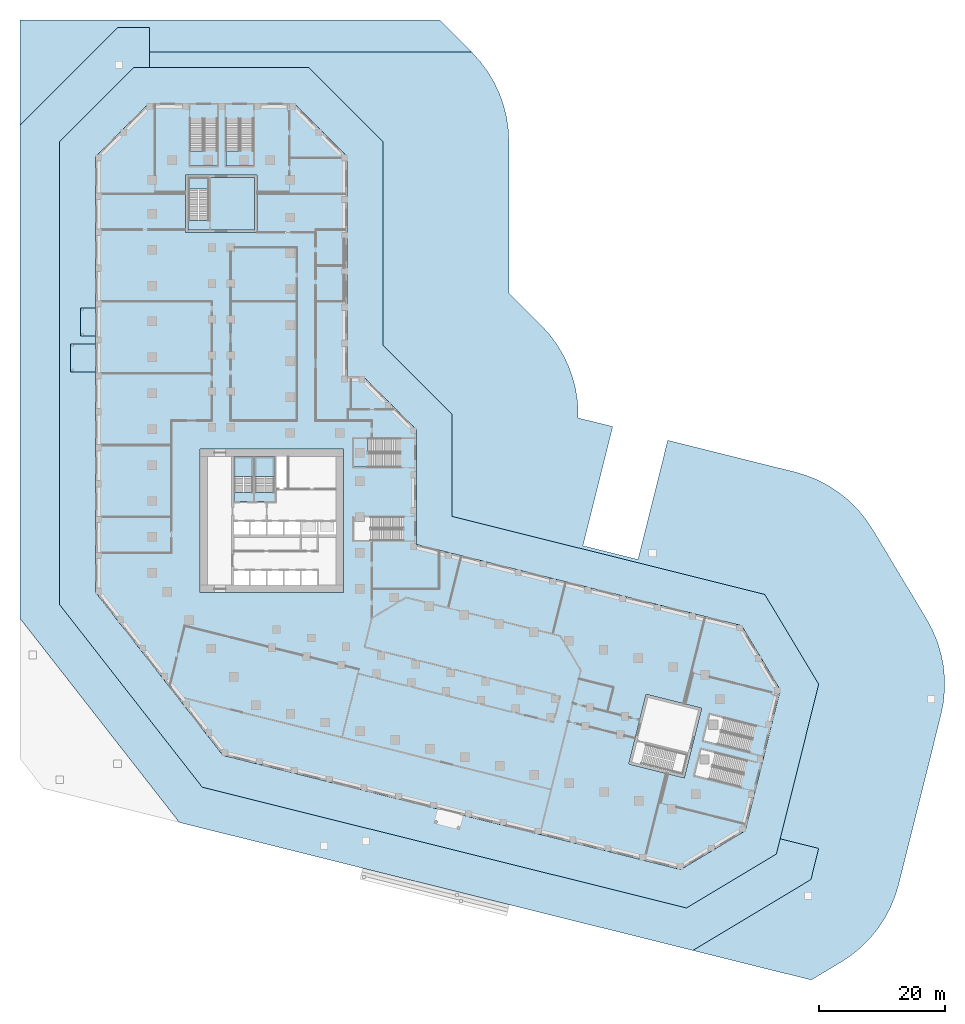
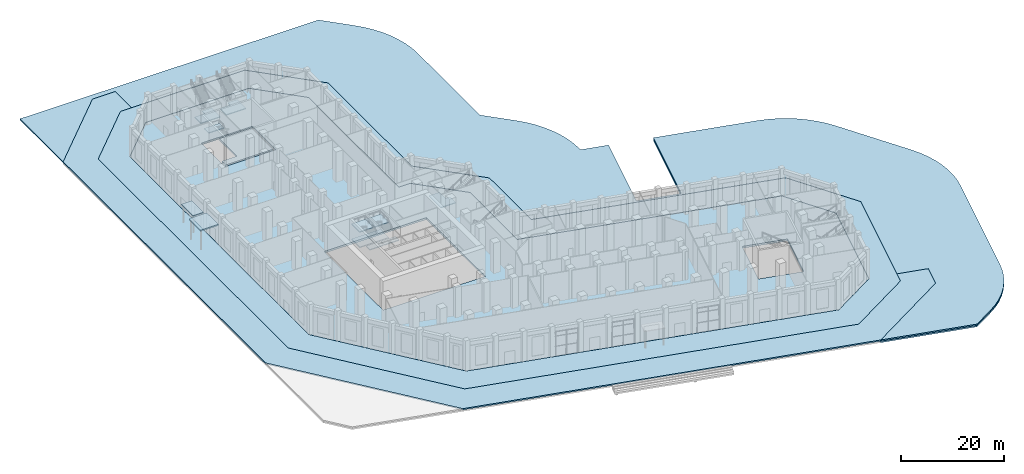
# One storey, part 10 of 27: 18 slabs, 6 elements without a shape of their own.
"""IFC4 building model written with IfcOpenShell, lengths in metres."""

from ifc_helpers import new_model, si_unit, direction, frame, origin, place, context, subcontext, project, spatial, polyline, outline, extrude, material, layer, layer_set, type_object, element, aggregate, save


model = new_model("IFC4")

# Units and contexts
model_context = context("Model", 3, precision=1e-05, world=origin(), true_north=direction((0.0, 1.0)))
body_context = subcontext(model_context, "Body", "Model", "MODEL_VIEW")
ifc_project = project(units=[si_unit("LENGTHUNIT", "METRE"), si_unit("AREAUNIT", "SQUARE_METRE"), si_unit("VOLUMEUNIT", "CUBIC_METRE"), si_unit("PLANEANGLEUNIT", "RADIAN"), si_unit("MASSUNIT", "GRAM", prefix="KILO")], contexts=[model_context])

# Site, building, storey
site_placement = place(None, origin())
site = spatial("IfcSite", under=ifc_project, at=site_placement, CompositionType="ELEMENT")
building_placement = place(site_placement, origin())
building = spatial("IfcBuilding", under=site, at=building_placement, Name="Meshkara Civic Tower", CompositionType="ELEMENT")
storey_placement = place(building_placement, origin())
storey = spatial("IfcBuildingStorey", under=building, at=storey_placement, Name="L00", CompositionType="ELEMENT", Elevation=0.0)

# Slabs
ifc_material_1 = material(Name="Concrete C40/50", Category="concrete")
ifc_layer_1 = layer(ifc_material_1, 0.449951171875)
ifc_layer_set_1 = layer_set([ifc_layer_1], Name="Core floor slab 450 C40/50")
slab_type_1 = type_object("IfcSlabType", Name="Core floor slab 450 C40/50", PredefinedType="FLOOR", material=ifc_layer_set_1)
slab_1_placement = place(storey_placement, frame((0.0, 0.0, -0.449951171875)))
element("IfcSlab", 1, at=slab_1_placement, inside=storey, type_object=slab_type_1, Name="Core floor EA", PredefinedType="FLOOR", context=body_context, shape_type="SweptSolid", body=[
    extrude(outline(polyline([(16.699951171875, 71.669921875), (16.699951171875, 79.969970703125), (9.5, 79.969970703125), (9.5, 73.17138671875), (6.10009765625, 73.17138671875), (6.10009765625, 71.669921875), (16.699951171875, 71.669921875)])), origin(), (0.0, 0.0, 1.0), 0.449951171875),
])
ifc_material_2 = material(Name="Concrete C40", Category="concrete")
ifc_layer_2 = layer(ifc_material_2, 0.199951171875)
ifc_layer_set_2 = layer_set([ifc_layer_2], Name="ENTRANCE CANOPY")
slab_type_2 = type_object("IfcSlabType", Name="ENTRANCE CANOPY", PredefinedType="ROOF", material=ifc_layer_set_2)
slab_2_placement = place(storey_placement, frame((0.0, 0.0, 4.0)))
element("IfcSlab", 2, at=slab_2_placement, inside=storey, type_object=slab_type_2, Name="Entrance canopy", PredefinedType="ROOF", context=body_context, shape_type="SweptSolid", body=[
    extrude(outline(polyline([(-8.550048828125, 59.31103515625), (-8.550048828125, 54.81103515625), (-10.949951171875, 54.81103515625), (-10.949951171875, 59.31103515625), (-8.550048828125, 59.31103515625)])), origin(), (0.0, 0.0, 1.0), 0.199951171875),
])

# Stair, slabs
ifc_material_3 = material(Name="Precast concrete C40/50", Category="concrete")
stair_type_1 = type_object("IfcStairType", Name="Exit stair half-turn 40 risers precast", PredefinedType="HALF_TURN_STAIR", material=ifc_material_3)
stair_1_placement = place(storey_placement, origin())
stair_1 = element("IfcStair", 3, at=stair_1_placement, inside=storey, type_object=stair_type_1, Name="L00 exit stair 1", PredefinedType="HALF_TURN_STAIR")
ifc_material_4 = material(Name="Precast concrete C40/50", Category="concrete")
ifc_layer_3 = layer(ifc_material_4, 0.199951171875)
ifc_layer_set_3 = layer_set([ifc_layer_3], Name="Exit stair landing 200")
slab_type_3 = type_object("IfcSlabType", Name="Exit stair landing 200", PredefinedType="LANDING", material=ifc_layer_set_3)
slab_3_placement = place(storey_placement, frame((0.0, 0.0, 1.60009765625)))
slab_3 = element("IfcSlab", 4, at=slab_3_placement, type_object=slab_type_3, Name="ST1 landing 1", PredefinedType="LANDING", context=body_context, shape_type="SweptSolid", body=[
    extrude(outline(polyline([(16.5, 32.5185546875), (16.5, 35.699951171875), (13.39990234375, 35.699951171875), (13.39990234375, 32.5185546875), (16.5, 32.5185546875)])), origin(), (0.0, 0.0, 1.0), 0.199951171875),
])
slab_4_placement = place(storey_placement, frame((0.0, 0.0, 3.39990234375)))
slab_4 = element("IfcSlab", 5, at=slab_4_placement, type_object=slab_type_3, Name="ST1 landing 2", PredefinedType="LANDING", context=body_context, shape_type="SweptSolid", body=[
    extrude(outline(polyline([(16.5, 28.60009765625), (16.5, 30.00146484375), (13.39990234375, 30.00146484375), (13.39990234375, 28.60009765625), (16.5, 28.60009765625)])), origin(), (0.0, 0.0, 1.0), 0.2001953125),
])
slab_5_placement = place(storey_placement, frame((0.0, 0.0, 5.199951171875)))
slab_5 = element("IfcSlab", 6, at=slab_5_placement, type_object=slab_type_3, Name="ST1 landing 3", PredefinedType="LANDING", context=body_context, shape_type="SweptSolid", body=[
    extrude(outline(polyline([(16.5, 32.5185546875), (16.5, 35.699951171875), (13.39990234375, 35.699951171875), (13.39990234375, 32.5185546875), (16.5, 32.5185546875)])), origin(), (0.0, 0.0, 1.0), 0.199951171875),
])
aggregate(stair_1, [slab_3, slab_4, slab_5])

stair_2_placement = place(storey_placement, origin())
stair_2 = element("IfcStair", 7, at=stair_2_placement, inside=storey, type_object=stair_type_1, Name="L00 exit stair 2", PredefinedType="HALF_TURN_STAIR")
slab_6_placement = place(storey_placement, frame((0.0, 0.0, 1.60009765625)))
slab_6 = element("IfcSlab", 8, at=slab_6_placement, type_object=slab_type_3, Name="ST2 landing 1", PredefinedType="LANDING", context=body_context, shape_type="SweptSolid", body=[
    extrude(outline(polyline([(19.89990234375, 32.5185546875), (19.89990234375, 35.699951171875), (16.699951171875, 35.699951171875), (16.699951171875, 32.5185546875), (19.89990234375, 32.5185546875)])), origin(), (0.0, 0.0, 1.0), 0.199951171875),
])
slab_7_placement = place(storey_placement, frame((0.0, 0.0, 3.39990234375)))
slab_7 = element("IfcSlab", 9, at=slab_7_placement, type_object=slab_type_3, Name="ST2 landing 2", PredefinedType="LANDING", context=body_context, shape_type="SweptSolid", body=[
    extrude(outline(polyline([(19.89990234375, 28.60009765625), (19.89990234375, 30.00146484375), (16.699951171875, 30.00146484375), (16.699951171875, 28.60009765625), (19.89990234375, 28.60009765625)])), origin(), (0.0, 0.0, 1.0), 0.2001953125),
])
slab_8_placement = place(storey_placement, frame((0.0, 0.0, 5.199951171875)))
slab_8 = element("IfcSlab", 10, at=slab_8_placement, type_object=slab_type_3, Name="ST2 landing 3", PredefinedType="LANDING", context=body_context, shape_type="SweptSolid", body=[
    extrude(outline(polyline([(19.89990234375, 32.5185546875), (19.89990234375, 35.699951171875), (16.699951171875, 35.699951171875), (16.699951171875, 32.5185546875), (19.89990234375, 32.5185546875)])), origin(), (0.0, 0.0, 1.0), 0.199951171875),
])
aggregate(stair_2, [slab_6, slab_7, slab_8])

# Stair, slab
ifc_material_5 = material(Name="Precast concrete C40/50", Category="concrete")
stair_type_2 = type_object("IfcStairType", Name="Exit stair half-turn 38 risers 1500 precast", PredefinedType="HALF_TURN_STAIR", material=ifc_material_5)
stair_3_placement = place(storey_placement, origin())
stair_3 = element("IfcStair", 11, at=stair_3_placement, inside=storey, type_object=stair_type_2, Name="L00 exit stair A from B2", PredefinedType="HALF_TURN_STAIR")
slab_9_placement = place(storey_placement, frame((0.0, 0.0, 3.39990234375)))
slab_9 = element("IfcSlab", 12, at=slab_9_placement, type_object=slab_type_3, Name="ESA1 landing 1", PredefinedType="LANDING", context=body_context, shape_type="SweptSolid", body=[
    extrude(outline(polyline([(9.5, 78.20849609375), (9.5, 79.969970703125), (6.10009765625, 79.969970703125), (6.10009765625, 78.20849609375), (9.5, 78.20849609375)])), origin(), (0.0, 0.0, 1.0), 0.2001953125),
])
aggregate(stair_3, [slab_9])

# Slabs
ifc_material_6 = material(Name="Granite paving on compacted base", Category="masonry")
ifc_layer_4 = layer(ifc_material_6, 0.300048828125)
ifc_layer_set_4 = layer_set([ifc_layer_4], Name="GROUND PAVING 300")
slab_type_4 = type_object("IfcSlabType", Name="GROUND PAVING 300", PredefinedType="USERDEFINED", material=ifc_layer_set_4)
slab_10_placement = place(storey_placement, frame((0.0, 0.0, -0.300048828125)))
element("IfcSlab", 13, at=slab_10_placement, inside=storey, type_object=slab_type_4, Name="Promenade paving", ObjectType="PAVING", PredefinedType="USERDEFINED", context=body_context, shape_type="SweptSolid", body=[
    extrude(outline(polyline([(60.864013671875, -36.35400390625), (4.7548828125, -22.364990234375), (-20.550048828125, 10.02392578125), (-20.550048828125, 88.31298828125), (-5.093017578125, 103.77001953125), (0.0, 103.77001953125), (0.0, 97.469970703125), (-2.48291015625, 97.469970703125), (-14.25, 85.702880859375), (-14.25, 12.193115234375), (8.384033203125, -16.777099609375), (85.239990234375, -35.93896484375), (99.50390625, -27.367919921875), (100.10498046875, -24.958984375), (106.218017578125, -26.48291015625), (104.986083984375, -31.424072265625), (86.248046875, -42.68310546875), (60.864013671875, -36.35400390625)])), origin(), (0.0, 0.0, 1.0), 0.300048828125),
])
slab_11_placement = place(storey_placement, frame((0.0, 0.0, -0.300048828125)))
element("IfcSlab", 14, at=slab_11_placement, inside=storey, type_object=slab_type_4, Name="Plaza paving", ObjectType="PAVING", PredefinedType="USERDEFINED", context=body_context, shape_type="SweptSolid", body=[
    extrude(outline(polyline([(63.510009765625, 55.071044921875), (64.678955078125, 53.493896484375), (65.68798828125, 51.81103515625), (66.528076171875, 50.037109375), (67.18896484375, 48.18896484375), (67.666015625, 46.284912109375), (67.9541015625, 44.343017578125), (68.050048828125, 42.383056640625), (68.050048828125, 41.830078125), (73.52294921875, 40.465087890625), (68.805908203125, 21.5439453125), (77.5380859375, 19.366943359375), (82.256103515625, 38.2880859375), (102.489013671875, 33.242919921875), (104.366943359375, 32.675048828125), (106.180908203125, 31.926025390625), (107.9130859375, 31.0029296875), (109.5458984375, 29.9150390625), (111.06396484375, 28.6708984375), (112.4541015625, 27.284912109375), (113.699951171875, 25.76904296875), (114.79296875, 24.138916015625), (123.364990234375, 9.875), (124.2919921875, 8.14501953125), (125.044921875, 6.33203125), (125.616943359375, 4.4541015625), (126.001953125, 2.530029296875), (126.197021484375, 0.575927734375), (126.198974609375, -1.386962890625), (126.009033203125, -3.340087890625), (125.6279296875, -5.26611328125), (118.909912109375, -32.20703125), (118.342041015625, -34.0859375), (117.593017578125, -35.89990234375), (116.669921875, -37.632080078125), (115.5810546875, -39.264892578125), (114.337890625, -40.782958984375), (112.950927734375, -42.172119140625), (111.43603515625, -43.4189453125), (109.804931640625, -44.510986328125), (105.047119140625, -47.3701171875), (86.248046875, -42.68310546875), (104.986083984375, -31.424072265625), (106.218017578125, -26.48291015625), (100.10498046875, -24.958984375), (106.221923828125, -0.427001953125), (97.64990234375, 13.8369140625), (48.050048828125, 26.2041015625), (48.050048828125, 42.383056640625), (37.050048828125, 53.383056640625), (37.050048828125, 85.702880859375), (25.282958984375, 97.469970703125), (0.0, 97.469970703125), (0.0, 103.77001953125), (-5.093017578125, 103.77001953125), (-20.550048828125, 88.31298828125), (-20.550048828125, 105.0), (46.037109375, 105.0), (51.19189453125, 99.844970703125), (52.510009765625, 98.39111328125), (53.678955078125, 96.81396484375), (54.68798828125, 95.131103515625), (55.528076171875, 93.35693359375), (56.18896484375, 91.509033203125), (56.666015625, 89.60498046875), (56.9541015625, 87.6630859375), (57.050048828125, 85.702880859375), (57.050048828125, 61.6669921875), (62.19189453125, 56.52490234375), (63.510009765625, 55.071044921875)])), origin(), (0.0, 0.0, 1.0), 0.300048828125),
])
ifc_material_7 = material(Name="Concrete C40", Category="concrete")
ifc_layer_5 = layer(ifc_material_7, 0.35009765625)
ifc_layer_set_5 = layer_set([ifc_layer_5], Name="GROUND SUB-BASE SLAB 350")
slab_type_5 = type_object("IfcSlabType", Name="GROUND SUB-BASE SLAB 350", PredefinedType="BASESLAB", material=ifc_layer_set_5)
slab_12_placement = place(storey_placement, frame((0.0, 0.0, -0.64990234375)))
element("IfcSlab", 15, at=slab_12_placement, inside=storey, type_object=slab_type_5, Name="Plaza paving sub-base", PredefinedType="BASESLAB", context=body_context, shape_type="SweptSolid", body=[
    extrude(outline(polyline([(64.678955078125, 53.493896484375), (65.68798828125, 51.81103515625), (66.528076171875, 50.037109375), (67.18896484375, 48.18896484375), (67.666015625, 46.284912109375), (67.9541015625, 44.343017578125), (68.050048828125, 42.383056640625), (68.050048828125, 41.830078125), (73.52294921875, 40.465087890625), (68.805908203125, 21.5439453125), (77.5380859375, 19.366943359375), (82.256103515625, 38.2880859375), (102.489013671875, 33.242919921875), (104.366943359375, 32.675048828125), (106.180908203125, 31.926025390625), (107.9130859375, 31.0029296875), (109.5458984375, 29.9150390625), (111.06396484375, 28.6708984375), (112.4541015625, 27.284912109375), (113.699951171875, 25.76904296875), (114.79296875, 24.138916015625), (123.364990234375, 9.875), (124.2919921875, 8.14501953125), (125.044921875, 6.33203125), (125.616943359375, 4.4541015625), (126.001953125, 2.530029296875), (126.197021484375, 0.575927734375), (126.198974609375, -1.386962890625), (126.009033203125, -3.340087890625), (125.6279296875, -5.26611328125), (118.909912109375, -32.20703125), (118.342041015625, -34.0859375), (117.593017578125, -35.89990234375), (116.669921875, -37.632080078125), (115.5810546875, -39.264892578125), (114.337890625, -40.782958984375), (112.950927734375, -42.172119140625), (111.43603515625, -43.4189453125), (109.804931640625, -44.510986328125), (105.047119140625, -47.3701171875), (86.248046875, -42.68310546875), (104.986083984375, -31.424072265625), (106.218017578125, -26.48291015625), (100.10498046875, -24.958984375), (106.221923828125, -0.427001953125), (97.64990234375, 13.8369140625), (48.050048828125, 26.2041015625), (48.050048828125, 42.383056640625), (37.050048828125, 53.383056640625), (37.050048828125, 85.702880859375), (25.282958984375, 97.469970703125), (0.0, 97.469970703125), (0.0, 99.89990234375), (51.136962890625, 99.89990234375), (51.19189453125, 99.844970703125), (52.510009765625, 98.39111328125), (53.678955078125, 96.81396484375), (54.68798828125, 95.131103515625), (55.528076171875, 93.35693359375), (56.18896484375, 91.509033203125), (56.666015625, 89.60498046875), (56.9541015625, 87.6630859375), (57.050048828125, 85.702880859375), (57.050048828125, 61.6669921875), (62.19189453125, 56.52490234375), (63.510009765625, 55.071044921875), (64.678955078125, 53.493896484375)])), origin(), (0.0, 0.0, 1.0), 0.349853515625),
])
ifc_material_8 = material(Name="Concrete C40", Category="concrete")
ifc_layer_6 = layer(ifc_material_8, 0.300048828125)
ifc_layer_set_6 = layer_set([ifc_layer_6], Name="LOADING BAY CANOPY 300")
slab_type_6 = type_object("IfcSlabType", Name="LOADING BAY CANOPY 300", PredefinedType="ROOF", material=ifc_layer_set_6)
slab_13_placement = place(storey_placement, frame((0.0, 0.0, 4.5)))
element("IfcSlab", 16, at=slab_13_placement, inside=storey, type_object=slab_type_6, Name="Loading bay canopy", PredefinedType="ROOF", context=body_context, shape_type="SweptSolid", body=[
    extrude(outline(polyline([(-8.550048828125, 53.611083984375), (-8.550048828125, 49.111083984375), (-12.550048828125, 49.111083984375), (-12.550048828125, 53.611083984375), (-8.550048828125, 53.611083984375)])), origin(), (0.0, 0.0, 1.0), 0.300048828125),
])
ifc_material_9 = material(Name="Concrete C50", Category="concrete")
ifc_layer_7 = layer(ifc_material_9, 0.449951171875)
ifc_layer_set_7 = layer_set([ifc_layer_7], Name="Plaza deck slab 450 C50")
slab_type_7 = type_object("IfcSlabType", Name="Plaza deck slab 450 C50", PredefinedType="FLOOR", material=ifc_layer_set_7)
slab_14_placement = place(storey_placement, frame((0.0, 0.0, -0.449951171875)))
element("IfcSlab", 17, at=slab_14_placement, inside=storey, type_object=slab_type_7, Name="Plaza deck slab", PredefinedType="FLOOR", context=body_context, shape_type="SweptSolid", body=[
    extrude(outline(polyline([(48.050048828125, 42.383056640625), (48.050048828125, 26.2041015625), (97.64990234375, 13.8369140625), (106.221923828125, -0.427001953125), (99.50390625, -27.367919921875), (85.239990234375, -35.93896484375), (8.384033203125, -16.777099609375), (-14.25, 12.193115234375), (-14.25, 85.702880859375), (-2.48291015625, 97.469970703125), (25.282958984375, 97.469970703125), (37.050048828125, 85.702880859375), (37.050048828125, 53.383056640625), (48.050048828125, 42.383056640625)]), holes=[polyline([(-0.1220703125, 91.77001953125), (-8.550048828125, 83.342041015625), (-8.550048828125, 14.156005859375), (11.6669921875, -11.720947265625), (84.327880859375, -29.8369140625), (94.544921875, -23.697998046875), (100.1201171875, -1.339111328125), (93.97998046875, 8.876953125), (42.35009765625, 21.7509765625), (42.35009765625, 40.02197265625), (33.922119140625, 48.449951171875), (31.35009765625, 48.449951171875), (31.35009765625, 83.342041015625), (22.922119140625, 91.77001953125), (-0.1220703125, 91.77001953125)])]), origin(), (0.0, 0.0, 1.0), 0.449951171875),
])
ifc_material_10 = material(Name="Concrete C50", Category="concrete")
ifc_layer_8 = layer(ifc_material_10, 0.449951171875)
ifc_layer_set_8 = layer_set([ifc_layer_8], Name="Podium floor slab 450 C50")
slab_type_8 = type_object("IfcSlabType", Name="Podium floor slab 450 C50", PredefinedType="FLOOR", material=ifc_layer_set_8)
slab_15_placement = place(storey_placement, frame((0.0, 0.0, -0.449951171875)))
element("IfcSlab", 18, at=slab_15_placement, inside=storey, type_object=slab_type_8, Name="Podium floor slab L00", PredefinedType="FLOOR", context=body_context, shape_type="SweptSolid", body=[
    extrude(outline(polyline([(33.922119140625, 48.449951171875), (42.35009765625, 40.02197265625), (42.35009765625, 21.7509765625), (93.97998046875, 8.876953125), (100.1201171875, -1.339111328125), (94.544921875, -23.697998046875), (84.327880859375, -29.8369140625), (11.6669921875, -11.720947265625), (-8.550048828125, 14.156005859375), (-8.550048828125, 83.342041015625), (-0.1220703125, 91.77001953125), (22.922119140625, 91.77001953125), (31.35009765625, 83.342041015625), (31.35009765625, 48.449951171875), (33.922119140625, 48.449951171875)]), holes=[polyline([(84.89208984375, -15.2919921875), (87.64990234375, -4.22998046875), (78.821044921875, -2.029052734375), (76.06298828125, -13.090087890625), (84.89208984375, -15.2919921875)]), polyline([(8.0, 14.10009765625), (30.800048828125, 14.10009765625), (30.800048828125, 36.89990234375), (8.0, 36.89990234375), (8.0, 14.10009765625)]), polyline([(5.699951171875, 80.3701171875), (5.699951171875, 71.27001953125), (17.10009765625, 71.27001953125), (17.10009765625, 80.3701171875), (5.699951171875, 80.3701171875)])]), origin(), (0.0, 0.0, 1.0), 0.449951171875),
])

# Stair, slab
ifc_material_11 = material(Name="Precast concrete C40/50", Category="concrete")
stair_type_3 = type_object("IfcStairType", Name="Podium exit stair half-turn 38 risers 2100 wide precast", PredefinedType="HALF_TURN_STAIR", material=ifc_material_11)
stair_4_placement = place(storey_placement, origin())
stair_4 = element("IfcStair", 19, at=stair_4_placement, inside=storey, type_object=stair_type_3, Name="L00 podium exit stair PS1", PredefinedType="HALF_TURN_STAIR")
ifc_material_12 = material(Name="Precast concrete C40/50", Category="concrete")
ifc_layer_9 = layer(ifc_material_12, 0.199951171875)
ifc_layer_set_9 = layer_set([ifc_layer_9], Name="Podium stair landing 200")
slab_type_9 = type_object("IfcSlabType", Name="Podium stair landing 200", PredefinedType="LANDING", material=ifc_layer_set_9)
slab_16_placement = place(storey_placement, frame((0.0, 0.0, 3.39990234375)))
slab_16 = element("IfcSlab", 20, at=slab_16_placement, type_object=slab_type_9, Name="PS1 landing 1", PredefinedType="LANDING", context=body_context, shape_type="SweptSolid", body=[
    extrude(outline(polyline([(10.784912109375, 81.81005859375), (6.43505859375, 81.81005859375), (6.43505859375, 84.2099609375), (8.68505859375, 84.2099609375), (8.68505859375, 85.199951171875), (10.784912109375, 85.199951171875), (10.784912109375, 81.81005859375)])), origin(), (0.0, 0.0, 1.0), 0.2001953125),
])
aggregate(stair_4, [slab_16])

stair_5_placement = place(storey_placement, origin())
stair_5 = element("IfcStair", 21, at=stair_5_placement, inside=storey, type_object=stair_type_3, Name="L00 podium exit stair PS2", PredefinedType="HALF_TURN_STAIR")
slab_17_placement = place(storey_placement, frame((0.0, 0.0, 3.39990234375)))
slab_17 = element("IfcSlab", 22, at=slab_17_placement, type_object=slab_type_9, Name="PS2 landing 1", PredefinedType="LANDING", context=body_context, shape_type="SweptSolid", body=[
    extrude(outline(polyline([(16.485107421875, 81.81005859375), (12.135009765625, 81.81005859375), (12.135009765625, 84.2099609375), (14.385009765625, 84.2099609375), (14.385009765625, 85.199951171875), (16.485107421875, 85.199951171875), (16.485107421875, 81.81005859375)])), origin(), (0.0, 0.0, 1.0), 0.2001953125),
])
aggregate(stair_5, [slab_17])

ifc_material_13 = material(Name="Precast concrete C40/50", Category="concrete")
stair_type_4 = type_object("IfcStairType", Name="Podium exit stair half-turn 38 risers 2200 wide precast", PredefinedType="HALF_TURN_STAIR", material=ifc_material_13)
stair_6_placement = place(storey_placement, origin())
stair_6 = element("IfcStair", 23, at=stair_6_placement, inside=storey, type_object=stair_type_4, Name="L00 podium exit stair PS6", PredefinedType="HALF_TURN_STAIR")
slab_18_placement = place(storey_placement, frame((0.0, 0.0, 3.39990234375)))
slab_18 = element("IfcSlab", 24, at=slab_18_placement, type_object=slab_type_9, Name="PS6 landing 1", PredefinedType="LANDING", context=body_context, shape_type="SweptSolid", body=[
    extrude(outline(polyline([(35.679931640625, 36.22509765625), (35.679931640625, 34.02490234375), (32.389892578125, 34.02490234375), (32.389892578125, 38.574951171875), (34.68994140625, 38.574951171875), (34.68994140625, 36.22509765625), (35.679931640625, 36.22509765625)])), origin(), (0.0, 0.0, 1.0), 0.2001953125),
])
aggregate(stair_6, [slab_18])

save(model, "model.ifc")
